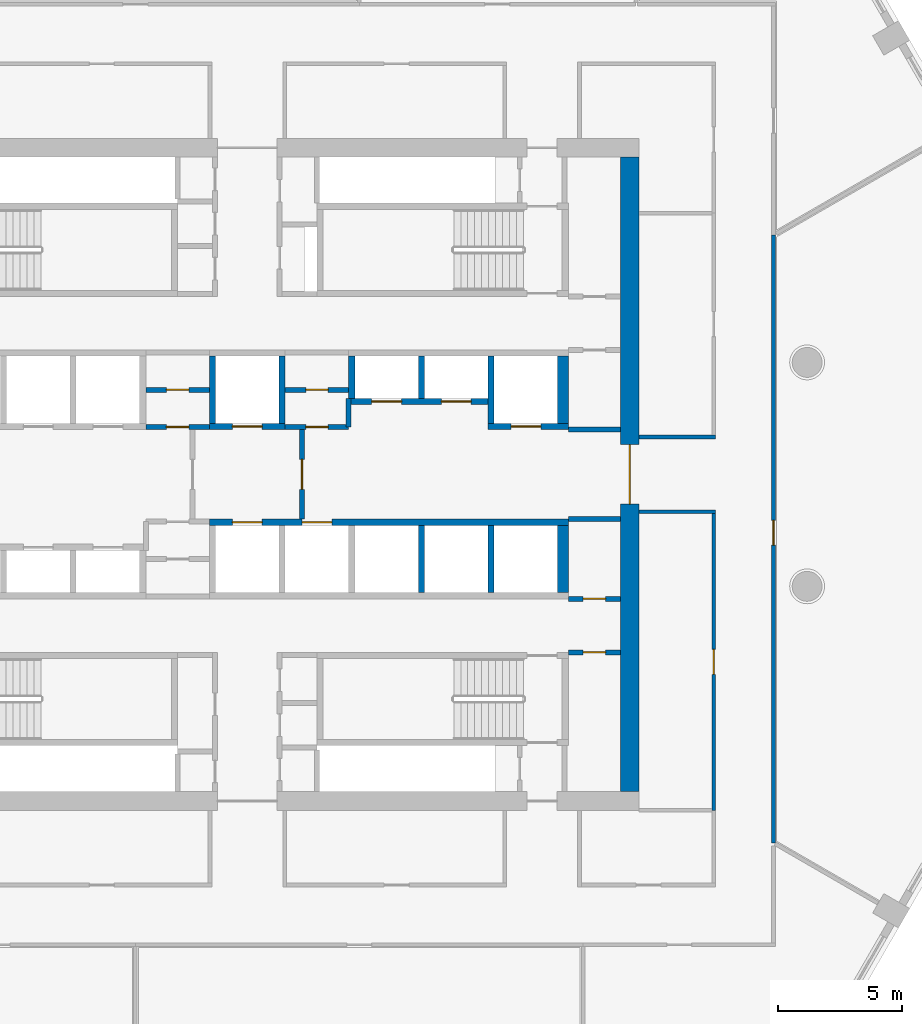
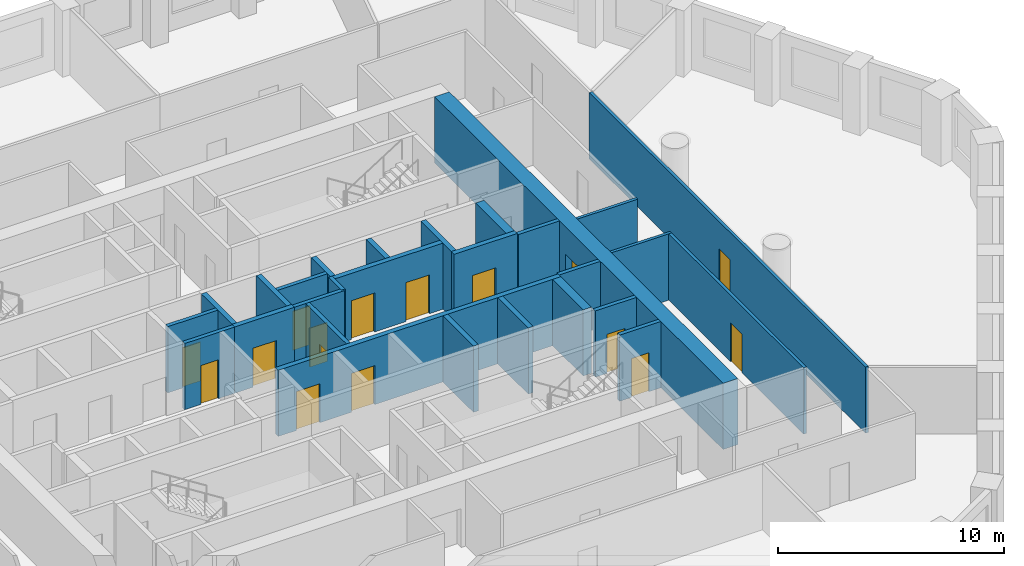
# One storey, part 5 of 14: 28 walls, 16 doors, 16 openings.
"""IFC4 building model written with IfcOpenShell, lengths in metres."""

from ifc_helpers import new_model, si_unit, direction, frame, frame_2d, origin, place, context, subcontext, project, spatial, polyline, rectangle, outline, extrude, material, layer, layer_set, type_object, element, fill, save


model = new_model("IFC4")

# Units and contexts
model_context = context("Model", 3, precision=1e-05, world=origin(), true_north=direction((0.0, 1.0)))
body_context = subcontext(model_context, "Body", "Model", "MODEL_VIEW")
ifc_project = project(units=[si_unit("LENGTHUNIT", "METRE"), si_unit("AREAUNIT", "SQUARE_METRE"), si_unit("VOLUMEUNIT", "CUBIC_METRE"), si_unit("PLANEANGLEUNIT", "RADIAN"), si_unit("MASSUNIT", "GRAM", prefix="KILO")], contexts=[model_context])

# Site, building, storey
site_placement = place(None, origin())
site = spatial("IfcSite", under=ifc_project, at=site_placement, CompositionType="ELEMENT")
building_placement = place(site_placement, origin())
building = spatial("IfcBuilding", under=site, at=building_placement, Name="Dhurran Vertical Campus", CompositionType="ELEMENT")
storey_placement = place(building_placement, frame((0.0, 0.0, 136.5)))
storey = spatial("IfcBuildingStorey", under=building, at=storey_placement, Name="L33", CompositionType="ELEMENT", Elevation=136.5)

# Wall, opening, door
ifc_material_1 = material(Name="Concrete C60/75", Category="concrete")
ifc_layer_1 = layer(ifc_material_1, 0.75)
ifc_layer_set_1 = layer_set([ifc_layer_1], Name="Concrete C60/75")
wall_type_1 = type_object("IfcWallType", Name="co-CORE-WALL-C1-750", PredefinedType="SHEAR", material=ifc_layer_set_1)
wall_1_placement = place(storey_placement, frame((15.375, -12.75, 0.0), z_axis=(0.0, 0.0, 1.0), x_axis=(0.0, 1.0, 0.0)))
wall_1 = element("IfcWall", 1, at=wall_1_placement, inside=storey, type_object=wall_type_1, Name="Core wall E L33", PredefinedType="SHEAR", context=body_context, shape_type="SweptSolid", body=[
    extrude(rectangle(XDim=25.5, YDim=0.75, at=frame_2d((12.75, 0.0))), origin(), (0.0, 0.0, 1.0), 3.574951171875),
])
opening_1_placement = place(wall_1_placement, frame((11.550048828125, 0.0, 0.0)))
opening_1 = element("IfcOpeningElement", 2, at=opening_1_placement, cuts=wall_1, Name="Opening CL2", PredefinedType="OPENING", context=body_context, shape_type="SweptSolid", body=[
    extrude(rectangle(XDim=2.39990234375, YDim=2.10009765625, at=frame_2d((1.199951171875, 1.050048828125))), frame((0.0, 0.385009765625, 0.0), z_axis=(0.0, -1.0, 0.0), x_axis=(1.0, 0.0, 0.0)), (0.0, 0.0, 1.0), 0.77001953125),
])
ifc_material_2 = material(Name="Fire-rated glazed door set")
door_type_1 = type_object("IfcDoorType", Name="co-D-LOBBY 2400x2100", OperationType="DOUBLE_DOOR_DOUBLE_SWING", PredefinedType="DOOR", material=ifc_material_2)
door_1_placement = place(opening_1_placement, origin())
door_1 = element("IfcDoor", 3, at=door_1_placement, inside=storey, type_object=door_type_1, Name="Lift lobby door E L33", OperationType="DOUBLE_DOOR_DOUBLE_SWING", OverallHeight=2.10009765625, OverallWidth=2.39990234375, PredefinedType="DOOR", context=body_context, shape_type="SweptSolid", body=[
    extrude(rectangle(XDim=2.39990234375, YDim=2.10009765625, at=frame_2d((1.199951171875, 1.050048828125))), frame((0.0, 0.02490234375, 0.0), z_axis=(0.0, -1.0, 0.0), x_axis=(1.0, 0.0, 0.0)), (0.0, 0.0, 1.0), 0.050048828125),
])
fill(opening_1, door_1)

ifc_material_3 = material(Name="Fire-rated masonry blockwork", Category="masonry")
ifc_layer_2 = layer(ifc_material_3, 0.199951171875)
ifc_layer_set_2 = layer_set([ifc_layer_2], Name="Fire-rated masonry blockwork")
wall_type_2 = type_object("IfcWallType", Name="co-FIRE-PARTITION-200", PredefinedType="PARTITIONING", material=ifc_layer_set_2)
wall_2_placement = place(storey_placement, frame((2.199951171875, -1.800048828125, 0.0), z_axis=(0.0, 0.0, 1.0), x_axis=(0.0, 1.0, 0.0)))
wall_2 = element("IfcWall", 4, at=wall_2_placement, inside=storey, type_object=wall_type_2, Name="Firefighting lobby wall E L33", PredefinedType="PARTITIONING", context=body_context, shape_type="SweptSolid", body=[
    extrude(rectangle(XDim=3.60009765625, YDim=0.199951171875, at=frame_2d((1.800048828125, 0.0))), origin(), (0.0, 0.0, 1.0), 3.574951171875),
])
opening_2_placement = place(wall_2_placement, frame((1.199951171875, 0.0, 0.0)))
opening_2 = element("IfcOpeningElement", 5, at=opening_2_placement, cuts=wall_2, Name="Opening FL2", PredefinedType="OPENING", context=body_context, shape_type="SweptSolid", body=[
    extrude(rectangle(XDim=1.199951171875, YDim=2.10009765625, at=frame_2d((0.60009765625, 1.050048828125))), frame((0.0, 0.10986328125, 0.0), z_axis=(0.0, -1.0, 0.0), x_axis=(1.0, 0.0, 0.0)), (0.0, 0.0, 1.0), 0.219970703125),
])
ifc_material_4 = material(Name="Fire-rated steel door set", Category="steel")
door_type_2 = type_object("IfcDoorType", Name="co-D-FFLOBBY 1200x2100", OperationType="SINGLE_SWING_LEFT", PredefinedType="DOOR", material=ifc_material_4)
door_2_placement = place(opening_2_placement, origin())
door_2 = element("IfcDoor", 6, at=door_2_placement, inside=storey, type_object=door_type_2, Name="Firefighting lobby door E L33", OperationType="SINGLE_SWING_LEFT", OverallHeight=2.10009765625, OverallWidth=1.199951171875, PredefinedType="DOOR", context=body_context, shape_type="SweptSolid", body=[
    extrude(rectangle(XDim=1.199951171875, YDim=2.10009765625, at=frame_2d((0.60009765625, 1.050048828125))), frame((0.0, 0.02490234375, 0.0), z_axis=(0.0, -1.0, 0.0), x_axis=(1.0, 0.0, 0.0)), (0.0, 0.0, 1.0), 0.050048828125),
])
fill(opening_2, door_2)

# Wall
wall_3_placement = place(storey_placement, frame((12.89990234375, 1.800048828125, 0.0), z_axis=(0.0, 0.0, 1.0), x_axis=(1.0, 0.0, 0.0)))
element("IfcWall", 7, at=wall_3_placement, inside=storey, type_object=wall_type_2, Name="Core partition es-NE-l L33", PredefinedType="PARTITIONING", context=body_context, shape_type="SweptSolid", body=[
    extrude(rectangle(XDim=2.10009765625, YDim=0.199951171875, at=frame_2d((1.050048828125, 0.0))), origin(), (0.0, 0.0, 1.0), 3.574951171875),
])

# Wall, opening, door
wall_4_placement = place(storey_placement, frame((12.89990234375, -7.14990234375, 0.0), z_axis=(0.0, 0.0, 1.0), x_axis=(1.0, 0.0, 0.0)))
wall_4 = element("IfcWall", 8, at=wall_4_placement, inside=storey, type_object=wall_type_2, Name="Core partition en-SE-w L33", PredefinedType="PARTITIONING", context=body_context, shape_type="SweptSolid", body=[
    extrude(rectangle(XDim=2.10009765625, YDim=0.199951171875, at=frame_2d((1.050048828125, 0.0))), origin(), (0.0, 0.0, 1.0), 3.574951171875),
])
opening_3_placement = place(wall_4_placement, frame((0.60009765625, 0.0, 0.0)))
opening_3 = element("IfcOpeningElement", 9, at=opening_3_placement, cuts=wall_4, Name="Opening T09-C21", PredefinedType="OPENING", context=body_context, shape_type="SweptSolid", body=[
    extrude(rectangle(XDim=0.89990234375, YDim=2.10009765625, at=frame_2d((0.449951171875, 1.050048828125))), frame((0.0, 0.10986328125, 0.0), z_axis=(0.0, -1.0, 0.0), x_axis=(1.0, 0.0, 0.0)), (0.0, 0.0, 1.0), 0.219970703125),
])
ifc_material_5 = material(Name="Fire-rated timber door set", Category="wood")
door_type_3 = type_object("IfcDoorType", Name="co-D-ROOM 900x2100", OperationType="SINGLE_SWING_LEFT", PredefinedType="DOOR", material=ifc_material_5)
door_3_placement = place(opening_3_placement, origin())
door_3 = element("IfcDoor", 10, at=door_3_placement, inside=storey, type_object=door_type_3, Name="Plant room door L33", OperationType="SINGLE_SWING_LEFT", OverallHeight=2.10009765625, OverallWidth=0.89990234375, PredefinedType="DOOR", context=body_context, shape_type="SweptSolid", body=[
    extrude(rectangle(XDim=0.89990234375, YDim=2.10009765625, at=frame_2d((0.449951171875, 1.050048828125))), frame((0.0, 0.02490234375, 0.0), z_axis=(0.0, -1.0, 0.0), x_axis=(1.0, 0.0, 0.0)), (0.0, 0.0, 1.0), 0.050048828125),
])
fill(opening_3, door_3)

wall_5_placement = place(storey_placement, frame((12.89990234375, -5.0, 0.0), z_axis=(0.0, 0.0, 1.0), x_axis=(1.0, 0.0, 0.0)))
wall_5 = element("IfcWall", 11, at=wall_5_placement, inside=storey, type_object=wall_type_2, Name="Core partition es-SE-w L33", PredefinedType="PARTITIONING", context=body_context, shape_type="SweptSolid", body=[
    extrude(rectangle(XDim=2.10009765625, YDim=0.199951171875, at=frame_2d((1.050048828125, 0.0))), origin(), (0.0, 0.0, 1.0), 3.574951171875),
])
opening_4_placement = place(wall_5_placement, frame((0.60009765625, 0.0, 0.0)))
opening_4 = element("IfcOpeningElement", 12, at=opening_4_placement, cuts=wall_5, Name="Opening T09-C22", PredefinedType="OPENING", context=body_context, shape_type="SweptSolid", body=[
    extrude(rectangle(XDim=0.89990234375, YDim=2.10009765625, at=frame_2d((0.449951171875, 1.050048828125))), frame((0.0, 0.10986328125, 0.0), z_axis=(0.0, -1.0, 0.0), x_axis=(1.0, 0.0, 0.0)), (0.0, 0.0, 1.0), 0.219970703125),
])
door_4_placement = place(opening_4_placement, origin())
door_4 = element("IfcDoor", 13, at=door_4_placement, inside=storey, type_object=door_type_3, Name="Pantry door L33", OperationType="SINGLE_SWING_LEFT", OverallHeight=2.10009765625, OverallWidth=0.89990234375, PredefinedType="DOOR", context=body_context, shape_type="SweptSolid", body=[
    extrude(rectangle(XDim=0.89990234375, YDim=2.10009765625, at=frame_2d((0.449951171875, 1.050048828125))), frame((0.0, 0.02490234375, 0.0), z_axis=(0.0, -1.0, 0.0), x_axis=(1.0, 0.0, 0.0)), (0.0, 0.0, 1.0), 0.050048828125),
])
fill(opening_4, door_4)

# Wall
wall_6_placement = place(storey_placement, frame((12.89990234375, -1.800048828125, 0.0), z_axis=(0.0, 0.0, 1.0), x_axis=(1.0, 0.0, 0.0)))
element("IfcWall", 14, at=wall_6_placement, inside=storey, type_object=wall_type_2, Name="Core partition es-SE-l L33", PredefinedType="PARTITIONING", context=body_context, shape_type="SweptSolid", body=[
    extrude(rectangle(XDim=2.10009765625, YDim=0.199951171875, at=frame_2d((1.050048828125, 0.0))), origin(), (0.0, 0.0, 1.0), 3.574951171875),
])

# Wall, opening, door
wall_7_placement = place(storey_placement, frame((-4.074951171875, 3.39990234375, 0.0), z_axis=(0.0, 0.0, 1.0), x_axis=(1.0, 0.0, 0.0)))
wall_7 = element("IfcWall", 15, at=wall_7_placement, inside=storey, type_object=wall_type_2, Name="Core partition fr-N0-c L33", PredefinedType="PARTITIONING", context=body_context, shape_type="SweptSolid", body=[
    extrude(rectangle(XDim=2.550048828125, YDim=0.199951171875, at=frame_2d((1.27490234375, 0.0))), origin(), (0.0, 0.0, 1.0), 3.574951171875),
])
opening_5_placement = place(wall_7_placement, frame((0.824951171875, 0.0, 0.0)))
opening_5 = element("IfcOpeningElement", 16, at=opening_5_placement, cuts=wall_7, Name="Opening T09-C23", PredefinedType="OPENING", context=body_context, shape_type="SweptSolid", body=[
    extrude(rectangle(XDim=0.89990234375, YDim=2.10009765625, at=frame_2d((0.449951171875, 1.050048828125))), frame((0.0, 0.10986328125, 0.0), z_axis=(0.0, -1.0, 0.0), x_axis=(1.0, 0.0, 0.0)), (0.0, 0.0, 1.0), 0.219970703125),
])
door_5_placement = place(opening_5_placement, origin())
door_5 = element("IfcDoor", 17, at=door_5_placement, inside=storey, type_object=door_type_3, Name="Housekeeping store door L33", OperationType="SINGLE_SWING_LEFT", OverallHeight=2.10009765625, OverallWidth=0.89990234375, PredefinedType="DOOR", context=body_context, shape_type="SweptSolid", body=[
    extrude(rectangle(XDim=0.89990234375, YDim=2.10009765625, at=frame_2d((0.449951171875, 1.050048828125))), frame((0.0, 0.02490234375, 0.0), z_axis=(0.0, -1.0, 0.0), x_axis=(1.0, 0.0, 0.0)), (0.0, 0.0, 1.0), 0.050048828125),
])
fill(opening_5, door_5)

wall_8_placement = place(storey_placement, frame((-4.074951171875, 1.89990234375, 0.0), z_axis=(0.0, 0.0, 1.0), x_axis=(1.0, 0.0, 0.0)))
wall_8 = element("IfcWall", 18, at=wall_8_placement, inside=storey, type_object=wall_type_2, Name="Core partition fr-N0-f L33", PredefinedType="PARTITIONING", context=body_context, shape_type="SweptSolid", body=[
    extrude(rectangle(XDim=2.550048828125, YDim=0.199951171875, at=frame_2d((1.27490234375, 0.0))), origin(), (0.0, 0.0, 1.0), 3.574951171875),
])
opening_6_placement = place(wall_8_placement, frame((0.824951171875, 0.0, 0.0)))
opening_6 = element("IfcOpeningElement", 19, at=opening_6_placement, cuts=wall_8, Name="Opening T09-C24", PredefinedType="OPENING", context=body_context, shape_type="SweptSolid", body=[
    extrude(rectangle(XDim=0.89990234375, YDim=2.10009765625, at=frame_2d((0.449951171875, 1.050048828125))), frame((0.0, 0.10986328125, 0.0), z_axis=(0.0, -1.0, 0.0), x_axis=(1.0, 0.0, 0.0)), (0.0, 0.0, 1.0), 0.219970703125),
])
door_6_placement = place(opening_6_placement, origin())
door_6 = element("IfcDoor", 20, at=door_6_placement, inside=storey, type_object=door_type_3, Name="Housekeeping store door L33", OperationType="SINGLE_SWING_LEFT", OverallHeight=2.10009765625, OverallWidth=0.89990234375, PredefinedType="DOOR", context=body_context, shape_type="SweptSolid", body=[
    extrude(rectangle(XDim=0.89990234375, YDim=2.10009765625, at=frame_2d((0.449951171875, 1.050048828125))), frame((0.0, 0.02490234375, 0.0), z_axis=(0.0, -1.0, 0.0), x_axis=(1.0, 0.0, 0.0)), (0.0, 0.0, 1.0), 0.050048828125),
])
fill(opening_6, door_6)

wall_9_placement = place(storey_placement, frame((1.52490234375, 3.39990234375, 0.0), z_axis=(0.0, 0.0, 1.0), x_axis=(1.0, 0.0, 0.0)))
wall_9 = element("IfcWall", 21, at=wall_9_placement, inside=storey, type_object=wall_type_2, Name="Core partition fr-N1-c L33", PredefinedType="PARTITIONING", context=body_context, shape_type="SweptSolid", body=[
    extrude(rectangle(XDim=2.550048828125, YDim=0.199951171875, at=frame_2d((1.27490234375, 0.0))), origin(), (0.0, 0.0, 1.0), 3.574951171875),
])
opening_7_placement = place(wall_9_placement, frame((0.824951171875, 0.0, 0.0)))
opening_7 = element("IfcOpeningElement", 22, at=opening_7_placement, cuts=wall_9, Name="Opening T09-C25", PredefinedType="OPENING", context=body_context, shape_type="SweptSolid", body=[
    extrude(rectangle(XDim=0.89990234375, YDim=2.10009765625, at=frame_2d((0.449951171875, 1.050048828125))), frame((0.0, 0.10986328125, 0.0), z_axis=(0.0, -1.0, 0.0), x_axis=(1.0, 0.0, 0.0)), (0.0, 0.0, 1.0), 0.219970703125),
])
door_7_placement = place(opening_7_placement, origin())
door_7 = element("IfcDoor", 23, at=door_7_placement, inside=storey, type_object=door_type_3, Name="Pantry door L33", OperationType="SINGLE_SWING_LEFT", OverallHeight=2.10009765625, OverallWidth=0.89990234375, PredefinedType="DOOR", context=body_context, shape_type="SweptSolid", body=[
    extrude(rectangle(XDim=0.89990234375, YDim=2.10009765625, at=frame_2d((0.449951171875, 1.050048828125))), frame((0.0, 0.02490234375, 0.0), z_axis=(0.0, -1.0, 0.0), x_axis=(1.0, 0.0, 0.0)), (0.0, 0.0, 1.0), 0.050048828125),
])
fill(opening_7, door_7)

wall_10_placement = place(storey_placement, frame((1.52490234375, 1.89990234375, 0.0), z_axis=(0.0, 0.0, 1.0), x_axis=(1.0, 0.0, 0.0)))
wall_10 = element("IfcWall", 24, at=wall_10_placement, inside=storey, type_object=wall_type_2, Name="Core partition fr-N1-f L33", PredefinedType="PARTITIONING", context=body_context, shape_type="SweptSolid", body=[
    extrude(rectangle(XDim=2.550048828125, YDim=0.199951171875, at=frame_2d((1.27490234375, 0.0))), origin(), (0.0, 0.0, 1.0), 3.574951171875),
])
opening_8_placement = place(wall_10_placement, frame((0.824951171875, 0.0, 0.0)))
opening_8 = element("IfcOpeningElement", 25, at=opening_8_placement, cuts=wall_10, Name="Opening T09-C26", PredefinedType="OPENING", context=body_context, shape_type="SweptSolid", body=[
    extrude(rectangle(XDim=0.89990234375, YDim=2.10009765625, at=frame_2d((0.449951171875, 1.050048828125))), frame((0.0, 0.10986328125, 0.0), z_axis=(0.0, -1.0, 0.0), x_axis=(1.0, 0.0, 0.0)), (0.0, 0.0, 1.0), 0.219970703125),
])
door_8_placement = place(opening_8_placement, origin())
door_8 = element("IfcDoor", 26, at=door_8_placement, inside=storey, type_object=door_type_3, Name="Communications room door L33", OperationType="SINGLE_SWING_LEFT", OverallHeight=2.10009765625, OverallWidth=0.89990234375, PredefinedType="DOOR", context=body_context, shape_type="SweptSolid", body=[
    extrude(rectangle(XDim=0.89990234375, YDim=2.10009765625, at=frame_2d((0.449951171875, 1.050048828125))), frame((0.0, 0.02490234375, 0.0), z_axis=(0.0, -1.0, 0.0), x_axis=(1.0, 0.0, 0.0)), (0.0, 0.0, 1.0), 0.050048828125),
])
fill(opening_8, door_8)

# Wall
wall_11_placement = place(storey_placement, frame((4.074951171875, 1.89990234375, 0.0), z_axis=(0.0, 0.0, 1.0), x_axis=(0.0, 1.0, 0.0)))
element("IfcWall", 27, at=wall_11_placement, inside=storey, type_object=wall_type_2, Name="Core partition fr-N1-n1 L33", PredefinedType="PARTITIONING", context=body_context, shape_type="SweptSolid", body=[
    extrude(rectangle(XDim=1.150146484375, YDim=0.199951171875, at=frame_2d((0.5751953125, 0.0))), origin(), (0.0, 0.0, 1.0), 3.574951171875),
])

# Wall, opening, door
ifc_material_6 = material(Name="Concrete C50/60", Category="concrete")
ifc_layer_3 = layer(ifc_material_6, 0.25)
ifc_layer_set_3 = layer_set([ifc_layer_3], Name="Concrete C50/60")
wall_type_3 = type_object("IfcWallType", Name="co-SHAFT-FRONT-250", PredefinedType="SHEAR", material=ifc_layer_set_3)
wall_12_placement = place(storey_placement, frame((-1.52490234375, 1.925048828125, 0.0), z_axis=(0.0, 0.0, 1.0), x_axis=(1.0, 0.0, 0.0)))
wall_12 = element("IfcWall", 28, at=wall_12_placement, inside=storey, type_object=wall_type_3, Name="Lift landing wall N L33", PredefinedType="SHEAR", context=body_context, shape_type="SweptSolid", body=[
    extrude(rectangle(XDim=3.0498046875, YDim=0.25, at=frame_2d((1.52490234375, 0.0))), origin(), (0.0, 0.0, 1.0), 3.574951171875),
])
opening_9_placement = place(wall_12_placement, frame((0.925048828125, 0.0, 0.0)))
opening_9 = element("IfcOpeningElement", 29, at=opening_9_placement, cuts=wall_12, Name="Opening LD", PredefinedType="OPENING", context=body_context, shape_type="SweptSolid", body=[
    extrude(rectangle(XDim=1.199951171875, YDim=2.10009765625, at=frame_2d((0.60009765625, 1.050048828125))), frame((0.0, 0.135009765625, 0.0), z_axis=(0.0, -1.0, 0.0), x_axis=(1.0, 0.0, 0.0)), (0.0, 0.0, 1.0), 0.27001953125),
])
ifc_material_7 = material(Name="Stainless steel landing door", Category="steel")
door_type_4 = type_object("IfcDoorType", Name="co-D-LANDING 1200x2100", OperationType="DOUBLE_DOOR_SLIDING", PredefinedType="DOOR", material=ifc_material_7)
door_9_placement = place(opening_9_placement, origin())
door_9 = element("IfcDoor", 30, at=door_9_placement, inside=storey, type_object=door_type_4, Name="Landing door FF1 L33", OperationType="DOUBLE_DOOR_SLIDING", OverallHeight=2.10009765625, OverallWidth=1.199951171875, PredefinedType="DOOR", context=body_context, shape_type="SweptSolid", body=[
    extrude(rectangle(XDim=1.199951171875, YDim=2.10009765625, at=frame_2d((0.60009765625, 1.050048828125))), frame((0.0, 0.02490234375, 0.0), z_axis=(0.0, -1.0, 0.0), x_axis=(1.0, 0.0, 0.0)), (0.0, 0.0, 1.0), 0.050048828125),
])
fill(opening_9, door_9)

# Wall, openings, doors
wall_13_placement = place(storey_placement, frame((4.074951171875, 2.925048828125, 0.0), z_axis=(0.0, 0.0, 1.0), x_axis=(1.0, 0.0, 0.0)))
wall_13 = element("IfcWall", 31, at=wall_13_placement, inside=storey, type_object=wall_type_3, Name="Lift landing wall N L33", PredefinedType="SHEAR", context=body_context, shape_type="SweptSolid", body=[
    extrude(rectangle(XDim=5.85009765625, YDim=0.25, at=frame_2d((2.925048828125, 0.0))), origin(), (0.0, 0.0, 1.0), 3.574951171875),
])
opening_10_placement = place(wall_13_placement, frame((0.925048828125, 0.0, 0.0)))
opening_10 = element("IfcOpeningElement", 32, at=opening_10_placement, cuts=wall_13, Name="Opening LD", PredefinedType="OPENING", context=body_context, shape_type="SweptSolid", body=[
    extrude(rectangle(XDim=1.199951171875, YDim=2.10009765625, at=frame_2d((0.60009765625, 1.050048828125))), frame((0.0, 0.135009765625, 0.0), z_axis=(0.0, -1.0, 0.0), x_axis=(1.0, 0.0, 0.0)), (0.0, 0.0, 1.0), 0.27001953125),
])
opening_11_placement = place(wall_13_placement, frame((3.72509765625, 0.0, 0.0)))
opening_11 = element("IfcOpeningElement", 33, at=opening_11_placement, cuts=wall_13, Name="Opening LD", PredefinedType="OPENING", context=body_context, shape_type="SweptSolid", body=[
    extrude(rectangle(XDim=1.199951171875, YDim=2.10009765625, at=frame_2d((0.60009765625, 1.050048828125))), frame((0.0, 0.135009765625, 0.0), z_axis=(0.0, -1.0, 0.0), x_axis=(1.0, 0.0, 0.0)), (0.0, 0.0, 1.0), 0.27001953125),
])
door_10_placement = place(opening_10_placement, origin())
door_10 = element("IfcDoor", 34, at=door_10_placement, inside=storey, type_object=door_type_4, Name="Landing door MR1 L33", OperationType="DOUBLE_DOOR_SLIDING", OverallHeight=2.10009765625, OverallWidth=1.199951171875, PredefinedType="DOOR", context=body_context, shape_type="SweptSolid", body=[
    extrude(rectangle(XDim=1.199951171875, YDim=2.10009765625, at=frame_2d((0.60009765625, 1.050048828125))), frame((0.0, 0.02490234375, 0.0), z_axis=(0.0, -1.0, 0.0), x_axis=(1.0, 0.0, 0.0)), (0.0, 0.0, 1.0), 0.050048828125),
])
fill(opening_10, door_10)
door_11_placement = place(opening_11_placement, origin())
door_11 = element("IfcDoor", 35, at=door_11_placement, inside=storey, type_object=door_type_4, Name="Landing door MR2 L33", OperationType="DOUBLE_DOOR_SLIDING", OverallHeight=2.10009765625, OverallWidth=1.199951171875, PredefinedType="DOOR", context=body_context, shape_type="SweptSolid", body=[
    extrude(rectangle(XDim=1.199951171875, YDim=2.10009765625, at=frame_2d((0.60009765625, 1.050048828125))), frame((0.0, 0.02490234375, 0.0), z_axis=(0.0, -1.0, 0.0), x_axis=(1.0, 0.0, 0.0)), (0.0, 0.0, 1.0), 0.050048828125),
])
fill(opening_11, door_11)

# Wall, opening, door
wall_14_placement = place(storey_placement, frame((9.675048828125, 1.925048828125, 0.0), z_axis=(0.0, 0.0, 1.0), x_axis=(1.0, 0.0, 0.0)))
wall_14 = element("IfcWall", 36, at=wall_14_placement, inside=storey, type_object=wall_type_3, Name="Lift landing wall N L33", PredefinedType="SHEAR", context=body_context, shape_type="SweptSolid", body=[
    extrude(rectangle(XDim=3.224853515625, YDim=0.25, at=frame_2d((1.6123046875, 0.0))), origin(), (0.0, 0.0, 1.0), 3.574951171875),
])
opening_12_placement = place(wall_14_placement, frame((0.925048828125, 0.0, 0.0)))
opening_12 = element("IfcOpeningElement", 37, at=opening_12_placement, cuts=wall_14, Name="Opening LD", PredefinedType="OPENING", context=body_context, shape_type="SweptSolid", body=[
    extrude(rectangle(XDim=1.199951171875, YDim=2.10009765625, at=frame_2d((0.60009765625, 1.050048828125))), frame((0.0, 0.135009765625, 0.0), z_axis=(0.0, -1.0, 0.0), x_axis=(1.0, 0.0, 0.0)), (0.0, 0.0, 1.0), 0.27001953125),
])
door_12_placement = place(opening_12_placement, origin())
door_12 = element("IfcDoor", 38, at=door_12_placement, inside=storey, type_object=door_type_4, Name="Landing door SV2 L33", OperationType="DOUBLE_DOOR_SLIDING", OverallHeight=2.10009765625, OverallWidth=1.199951171875, PredefinedType="DOOR", context=body_context, shape_type="SweptSolid", body=[
    extrude(rectangle(XDim=1.199951171875, YDim=2.10009765625, at=frame_2d((0.60009765625, 1.050048828125))), frame((0.0, 0.02490234375, 0.0), z_axis=(0.0, -1.0, 0.0), x_axis=(1.0, 0.0, 0.0)), (0.0, 0.0, 1.0), 0.050048828125),
])
fill(opening_12, door_12)

# Wall, openings, doors
wall_15_placement = place(storey_placement, frame((-1.52490234375, -1.925048828125, 0.0), z_axis=(0.0, 0.0, 1.0), x_axis=(1.0, 0.0, 0.0)))
wall_15 = element("IfcWall", 39, at=wall_15_placement, inside=storey, type_object=wall_type_3, Name="Lift landing wall S L33", PredefinedType="SHEAR", context=body_context, shape_type="SweptSolid", body=[
    extrude(rectangle(XDim=14.4248046875, YDim=0.25, at=frame_2d((7.21240234375, 0.0))), origin(), (0.0, 0.0, 1.0), 3.574951171875),
])
opening_13_placement = place(wall_15_placement, frame((0.925048828125, 0.0, 0.0)))
opening_13 = element("IfcOpeningElement", 40, at=opening_13_placement, cuts=wall_15, Name="Opening LD", PredefinedType="OPENING", context=body_context, shape_type="SweptSolid", body=[
    extrude(rectangle(XDim=1.199951171875, YDim=2.10009765625, at=frame_2d((0.60009765625, 1.050048828125))), frame((0.0, 0.135009765625, 0.0), z_axis=(0.0, -1.0, 0.0), x_axis=(1.0, 0.0, 0.0)), (0.0, 0.0, 1.0), 0.27001953125),
])
opening_14_placement = place(wall_15_placement, frame((3.72509765625, 0.0, 0.0)))
opening_14 = element("IfcOpeningElement", 41, at=opening_14_placement, cuts=wall_15, Name="Opening LD", PredefinedType="OPENING", context=body_context, shape_type="SweptSolid", body=[
    extrude(rectangle(XDim=1.199951171875, YDim=2.10009765625, at=frame_2d((0.60009765625, 1.050048828125))), frame((0.0, 0.135009765625, 0.0), z_axis=(0.0, -1.0, 0.0), x_axis=(1.0, 0.0, 0.0)), (0.0, 0.0, 1.0), 0.27001953125),
])
door_13_placement = place(opening_13_placement, origin())
door_13 = element("IfcDoor", 42, at=door_13_placement, inside=storey, type_object=door_type_4, Name="Landing door FF2 L33", OperationType="DOUBLE_DOOR_SLIDING", OverallHeight=2.10009765625, OverallWidth=1.199951171875, PredefinedType="DOOR", context=body_context, shape_type="SweptSolid", body=[
    extrude(rectangle(XDim=1.199951171875, YDim=2.10009765625, at=frame_2d((0.60009765625, 1.050048828125))), frame((0.0, 0.02490234375, 0.0), z_axis=(0.0, -1.0, 0.0), x_axis=(1.0, 0.0, 0.0)), (0.0, 0.0, 1.0), 0.050048828125),
])
fill(opening_13, door_13)
door_14_placement = place(opening_14_placement, origin())
door_14 = element("IfcDoor", 43, at=door_14_placement, inside=storey, type_object=door_type_4, Name="Landing door SV1 L33", OperationType="DOUBLE_DOOR_SLIDING", OverallHeight=2.10009765625, OverallWidth=1.199951171875, PredefinedType="DOOR", context=body_context, shape_type="SweptSolid", body=[
    extrude(rectangle(XDim=1.199951171875, YDim=2.10009765625, at=frame_2d((0.60009765625, 1.050048828125))), frame((0.0, 0.02490234375, 0.0), z_axis=(0.0, -1.0, 0.0), x_axis=(1.0, 0.0, 0.0)), (0.0, 0.0, 1.0), 0.050048828125),
])
fill(opening_14, door_14)

# Walls
ifc_material_8 = material(Name="Concrete C50/60", Category="concrete")
ifc_layer_4 = layer(ifc_material_8, 0.25)
ifc_layer_set_4 = layer_set([ifc_layer_4], Name="Concrete C50/60")
wall_type_4 = type_object("IfcWallType", Name="co-SHAFT-MASS-250", PredefinedType="SHEAR", material=ifc_layer_set_4)
wall_16_placement = place(storey_placement, origin())
element("IfcWall", 44, at=wall_16_placement, inside=storey, type_object=wall_type_4, Name="Lift shaft wall N L33 8", PredefinedType="SHEAR", context=body_context, shape_type="SweptSolid", body=[
    extrude(outline(polyline([(-1.52490234375, 2.050048828125), (-1.27490234375, 2.050048828125), (-1.27490234375, 4.75), (-1.52490234375, 4.75), (-1.52490234375, 2.050048828125)])), origin(), (0.0, 0.0, 1.0), 3.574951171875),
])
wall_17_placement = place(storey_placement, origin())
element("IfcWall", 45, at=wall_17_placement, inside=storey, type_object=wall_type_4, Name="Lift shaft wall N L33 9", PredefinedType="SHEAR", context=body_context, shape_type="SweptSolid", body=[
    extrude(outline(polyline([(1.27490234375, 2.050048828125), (1.52490234375, 2.050048828125), (1.52490234375, 4.75), (1.27490234375, 4.75), (1.27490234375, 2.050048828125)])), origin(), (0.0, 0.0, 1.0), 3.574951171875),
])
wall_18_placement = place(storey_placement, origin())
element("IfcWall", 46, at=wall_18_placement, inside=storey, type_object=wall_type_4, Name="Lift shaft wall N L33 10", PredefinedType="SHEAR", context=body_context, shape_type="SweptSolid", body=[
    extrude(outline(polyline([(9.675048828125, 2.050048828125), (9.925048828125, 2.050048828125), (9.925048828125, 4.75), (9.675048828125, 4.75), (9.675048828125, 2.050048828125)])), origin(), (0.0, 0.0, 1.0), 3.574951171875),
])
wall_19_placement = place(storey_placement, origin())
element("IfcWall", 47, at=wall_19_placement, inside=storey, type_object=wall_type_4, Name="Lift shaft wall N L33 11", PredefinedType="SHEAR", context=body_context, shape_type="SweptSolid", body=[
    extrude(outline(polyline([(12.47509765625, 2.050048828125), (12.89990234375, 2.050048828125), (12.89990234375, 4.75), (12.47509765625, 4.75), (12.47509765625, 2.050048828125)])), origin(), (0.0, 0.0, 1.0), 3.574951171875),
])
wall_20_placement = place(storey_placement, origin())
element("IfcWall", 48, at=wall_20_placement, inside=storey, type_object=wall_type_4, Name="Lift shaft wall N L33 12", PredefinedType="SHEAR", context=body_context, shape_type="SweptSolid", body=[
    extrude(outline(polyline([(4.074951171875, 3.050048828125), (4.324951171875, 3.050048828125), (4.324951171875, 4.75), (4.074951171875, 4.75), (4.074951171875, 3.050048828125)])), origin(), (0.0, 0.0, 1.0), 3.574951171875),
])
wall_21_placement = place(storey_placement, origin())
element("IfcWall", 49, at=wall_21_placement, inside=storey, type_object=wall_type_4, Name="Lift shaft wall N L33 13", PredefinedType="SHEAR", context=body_context, shape_type="SweptSolid", body=[
    extrude(outline(polyline([(6.875, 3.050048828125), (7.125, 3.050048828125), (7.125, 4.75), (6.875, 4.75), (6.875, 3.050048828125)])), origin(), (0.0, 0.0, 1.0), 3.574951171875),
])
wall_22_placement = place(storey_placement, origin())
element("IfcWall", 50, at=wall_22_placement, inside=storey, type_object=wall_type_4, Name="Lift shaft wall S L33 10", PredefinedType="SHEAR", context=body_context, shape_type="SweptSolid", body=[
    extrude(outline(polyline([(6.875, -4.75), (7.125, -4.75), (7.125, -2.050048828125), (6.875, -2.050048828125), (6.875, -4.75)])), origin(), (0.0, 0.0, 1.0), 3.574951171875),
])
wall_23_placement = place(storey_placement, origin())
element("IfcWall", 51, at=wall_23_placement, inside=storey, type_object=wall_type_4, Name="Lift shaft wall S L33 11", PredefinedType="SHEAR", context=body_context, shape_type="SweptSolid", body=[
    extrude(outline(polyline([(9.675048828125, -4.75), (9.925048828125, -4.75), (9.925048828125, -2.050048828125), (9.675048828125, -2.050048828125), (9.675048828125, -4.75)])), origin(), (0.0, 0.0, 1.0), 3.574951171875),
])
wall_24_placement = place(storey_placement, origin())
element("IfcWall", 52, at=wall_24_placement, inside=storey, type_object=wall_type_4, Name="Lift shaft wall S L33 12", PredefinedType="SHEAR", context=body_context, shape_type="SweptSolid", body=[
    extrude(outline(polyline([(12.47509765625, -4.75), (12.89990234375, -4.75), (12.89990234375, -2.050048828125), (12.47509765625, -2.050048828125), (12.47509765625, -4.75)])), origin(), (0.0, 0.0, 1.0), 3.574951171875),
])
ifc_material_9 = material(Name="Gypsum board corridor wall on steel studs", Category="steel")
ifc_layer_5 = layer(ifc_material_9, 0.14990234375)
ifc_layer_set_5 = layer_set([ifc_layer_5], Name="Gypsum board corridor wall on steel studs")
wall_type_5 = type_object("IfcWallType", Name="fl-CW-150 corridor wall", PredefinedType="PARTITIONING", material=ifc_layer_set_5)
for number, where, z_axis, x_axis, name in (
    (53, (15.75, -1.5, 0.0), (0.0, 0.0, 1.0), (1.0, 0.0, 0.0), "Partition 33-51"),
    (54, (18.824951171875, 1.5, 0.0), (0.0, 0.0, 1.0), (-1.0, 0.0, 0.0), "Partition 33-52"),
):
    element("IfcWall", number, at=place(storey_placement, frame(where, z_axis=z_axis, x_axis=x_axis)), inside=storey, type_object=wall_type_5, Name=name, PredefinedType="PARTITIONING", context=body_context, shape_type="SweptSolid", body=[
        extrude(rectangle(XDim=3.074951171875, YDim=0.14990234375, at=frame_2d((1.53759765625, 0.0))), origin(), (0.0, 0.0, 1.0), 3.574951171875),
    ])

# Wall, opening, door
wall_25_placement = place(storey_placement, frame((18.75, -1.574951171875, 0.0), z_axis=(0.0, 0.0, 1.0), x_axis=(0.0, -1.0, 0.0)))
wall_25 = element("IfcWall", 55, at=wall_25_placement, inside=storey, type_object=wall_type_5, Name="Partition 33-55", PredefinedType="PARTITIONING", context=body_context, shape_type="SweptSolid", body=[
    extrude(rectangle(XDim=11.925048828125, YDim=0.14990234375, at=frame_2d((5.96240234375, 0.0))), origin(), (0.0, 0.0, 1.0), 3.574951171875),
])
opening_15_placement = place(wall_25_placement, frame((5.46240234375, 0.0, 0.0)))
opening_15 = element("IfcOpeningElement", 56, at=opening_15_placement, cuts=wall_25, Name="Opening T09.19", PredefinedType="OPENING", context=body_context, shape_type="SweptSolid", body=[
    extrude(rectangle(XDim=1.0, YDim=2.10009765625, at=frame_2d((0.5, 1.050048828125))), frame((0.0, 0.0849609375, 0.0), z_axis=(0.0, -1.0, 0.0), x_axis=(1.0, 0.0, 0.0)), (0.0, 0.0, 1.0), 0.169921875),
])
ifc_material_10 = material(Name="Solid-core timber door set, fire-rated", Category="wood")
door_type_5 = type_object("IfcDoorType", Name="fl-D-1000x2100", OperationType="SINGLE_SWING_LEFT", PredefinedType="DOOR", material=ifc_material_10)
door_15_placement = place(opening_15_placement, origin())
door_15 = element("IfcDoor", 57, at=door_15_placement, inside=storey, type_object=door_type_5, Name="Door 33.19", OperationType="SINGLE_SWING_RIGHT", OverallHeight=2.10009765625, OverallWidth=1.0, PredefinedType="DOOR", context=body_context, shape_type="SweptSolid", body=[
    extrude(rectangle(XDim=1.0, YDim=2.10009765625, at=frame_2d((0.5, 1.050048828125))), frame((0.0, 0.02490234375, 0.0), z_axis=(0.0, -1.0, 0.0), x_axis=(1.0, 0.0, 0.0)), (0.0, 0.0, 1.0), 0.050048828125),
])
fill(opening_15, door_15)

wall_26_placement = place(storey_placement, frame((21.14990234375, -14.80908203125, 0.0), z_axis=(0.0, 0.0, 1.0), x_axis=(0.0, 1.0, 0.0)))
wall_26 = element("IfcWall", 58, at=wall_26_placement, inside=storey, type_object=wall_type_5, Name="Partition 33-59", PredefinedType="PARTITIONING", context=body_context, shape_type="SweptSolid", body=[
    extrude(rectangle(XDim=24.422119140625, YDim=0.14990234375, at=frame_2d((12.2109375, 0.0))), origin(), (0.0, 0.0, 1.0), 3.574951171875),
])
opening_16_placement = place(wall_26_placement, frame((11.9609375, 0.0, 0.0)))
opening_16 = element("IfcOpeningElement", 59, at=opening_16_placement, cuts=wall_26, Name="Opening T09.23", PredefinedType="OPENING", context=body_context, shape_type="SweptSolid", body=[
    extrude(rectangle(XDim=1.0, YDim=2.10009765625, at=frame_2d((0.5, 1.050048828125))), frame((0.0, 0.0849609375, 0.0), z_axis=(0.0, -1.0, 0.0), x_axis=(1.0, 0.0, 0.0)), (0.0, 0.0, 1.0), 0.169921875),
])
door_16_placement = place(opening_16_placement, origin())
door_16 = element("IfcDoor", 60, at=door_16_placement, inside=storey, type_object=door_type_5, Name="Door 33.23", OperationType="SINGLE_SWING_LEFT", OverallHeight=2.10009765625, OverallWidth=1.0, PredefinedType="DOOR", context=body_context, shape_type="SweptSolid", body=[
    extrude(rectangle(XDim=1.0, YDim=2.10009765625, at=frame_2d((0.5, 1.050048828125))), frame((0.0, 0.02490234375, 0.0), z_axis=(0.0, -1.0, 0.0), x_axis=(1.0, 0.0, 0.0)), (0.0, 0.0, 1.0), 0.050048828125),
])
fill(opening_16, door_16)

save(model, "model.ifc")
